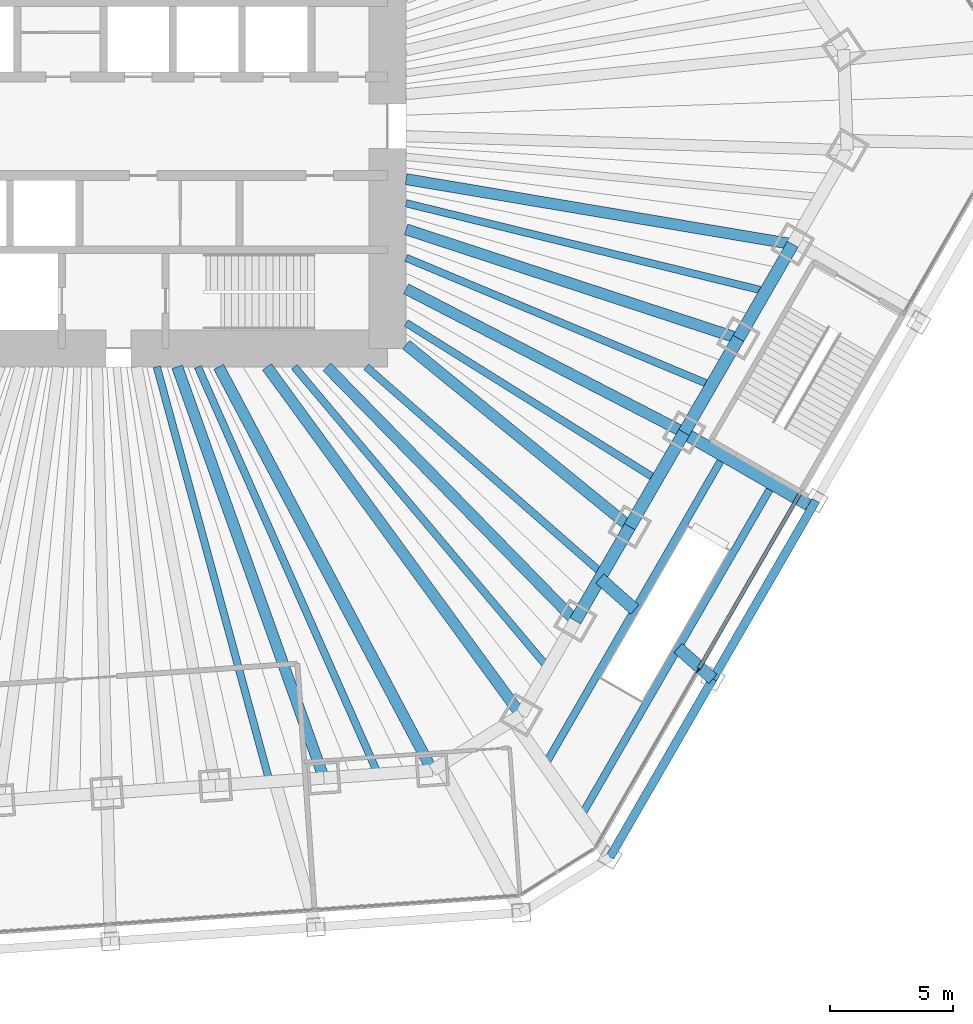
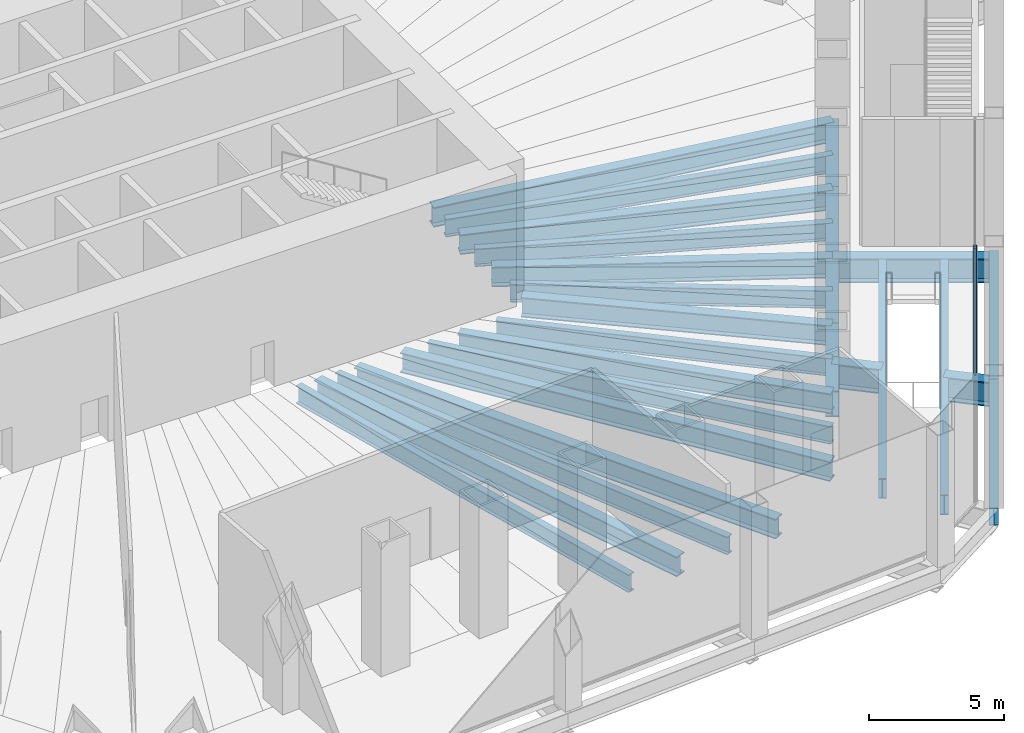
# One storey, part 8 of 23: 26 beams, 2 members, 1 element without a shape of its own.
"""IFC4 building model written with IfcOpenShell, lengths in metres."""

from ifc_helpers import new_model, si_unit, direction, frame, origin, origin_2d, place, context, subcontext, project, spatial, rectangle, i_section, extrude, material, material_profile, profile_set, type_object, element, aggregate, save


model = new_model("IFC4")

# Units and contexts
model_context = context("Model", 3, precision=1e-05, world=origin(), true_north=direction((0.0, 1.0)))
body_context = subcontext(model_context, "Body", "Model", "MODEL_VIEW")
ifc_project = project(units=[si_unit("LENGTHUNIT", "METRE"), si_unit("AREAUNIT", "SQUARE_METRE"), si_unit("VOLUMEUNIT", "CUBIC_METRE"), si_unit("PLANEANGLEUNIT", "RADIAN"), si_unit("MASSUNIT", "GRAM", prefix="KILO")], contexts=[model_context])

# Site, building, storey
site_placement = place(None, origin())
site = spatial("IfcSite", under=ifc_project, at=site_placement, CompositionType="ELEMENT")
building_placement = place(site_placement, origin())
building = spatial("IfcBuilding", under=site, at=building_placement, Name="Qingtian Harvest Tower", CompositionType="ELEMENT")
storey_placement = place(building_placement, frame((0.0, 0.0, 6.0)))
storey = spatial("IfcBuildingStorey", under=building, at=storey_placement, Name="L01", CompositionType="ELEMENT", Elevation=6.0)

# Beams
ifc_material_1 = material(Name="Steel SM570MC", Category="steel")
ifc_material_profile_1 = material_profile(ifc_material_1, i_section(OverallWidth=0.449951171875, OverallDepth=0.89990234375, WebThickness=0.02197265625, FlangeThickness=0.044921875, at=origin_2d()), Name="H900x450x22x45")
ifc_profile_set_1 = profile_set([ifc_material_profile_1], Name="Steel SM570MC")
beam_type_1 = type_object("IfcBeamType", Name="Floor beam FB5 H900x450x22x45", PredefinedType="BEAM", material=ifc_profile_set_1)
beam_1_placement = place(storey_placement, frame((28.416015625, -4.78173828125, -0.699951171875), z_axis=(-0.986135195489, 0.16594389479, 0.0), x_axis=(-0.16594389479, -0.986135195489, 0.0)))
element("IfcBeam", 1, at=beam_1_placement, inside=storey, type_object=beam_type_1, Name="Floor beam FB5 SE1", PredefinedType="BEAM", context=body_context, shape_type="SweptSolid", body=[
    extrude(i_section(OverallWidth=0.449951171875, OverallDepth=0.89990234375, WebThickness=0.02197265625, FlangeThickness=0.044921875, at=origin_2d()), origin(), (0.0, 0.0, 1.0), 15.88623046875),
])
beam_2_placement = place(storey_placement, frame((26.2138671875, -8.596435546875, -0.699951171875), z_axis=(-0.950210724421, 0.311608053803, 0.0), x_axis=(-0.311608053803, -0.950210724421, 0.0)))
element("IfcBeam", 2, at=beam_2_placement, inside=storey, type_object=beam_type_1, Name="Floor beam FB5 SE2", PredefinedType="BEAM", context=body_context, shape_type="SweptSolid", body=[
    extrude(i_section(OverallWidth=0.449951171875, OverallDepth=0.89990234375, WebThickness=0.02197265625, FlangeThickness=0.044921875, at=origin_2d()), origin(), (0.0, 0.0, 1.0), 14.16943359375),
])
beam_3_placement = place(storey_placement, frame((24.011474609375, -12.410888671875, -0.699951171875), z_axis=(-0.888349581519, 0.45916774823, 0.0), x_axis=(-0.45916774823, -0.888349581519, 0.0)))
element("IfcBeam", 3, at=beam_3_placement, inside=storey, type_object=beam_type_1, Name="Floor beam FB5 SE3", PredefinedType="BEAM", context=body_context, shape_type="SweptSolid", body=[
    extrude(i_section(OverallWidth=0.449951171875, OverallDepth=0.89990234375, WebThickness=0.02197265625, FlangeThickness=0.044921875, at=origin_2d()), origin(), (0.0, 0.0, 1.0), 12.6767578125),
])
beam_4_placement = place(storey_placement, frame((21.809326171875, -16.225341796875, -0.699951171875), z_axis=(-0.775504415669, 0.631342142802, 0.0), x_axis=(-0.631342142802, -0.775504415669, 0.0)))
element("IfcBeam", 4, at=beam_4_placement, inside=storey, type_object=beam_type_1, Name="Floor beam FB5 SE4", PredefinedType="BEAM", context=body_context, shape_type="SweptSolid", body=[
    extrude(i_section(OverallWidth=0.449951171875, OverallDepth=0.89990234375, WebThickness=0.02197265625, FlangeThickness=0.044921875, at=origin_2d()), origin(), (0.0, 0.0, 1.0), 11.681884765625),
])
beam_5_placement = place(storey_placement, frame((19.60693359375, -20.039794921875, -0.699951171875), z_axis=(-0.699348221539, 0.714781130858, 0.0), x_axis=(-0.714781130858, -0.699348221539, 0.0)))
element("IfcBeam", 5, at=beam_5_placement, inside=storey, type_object=beam_type_1, Name="Floor beam FB5 SE5", PredefinedType="BEAM", context=body_context, shape_type="SweptSolid", body=[
    extrude(i_section(OverallWidth=0.449951171875, OverallDepth=0.89990234375, WebThickness=0.02197265625, FlangeThickness=0.044921875, at=origin_2d()), origin(), (0.0, 0.0, 1.0), 14.395751953125),
])
beam_6_placement = place(storey_placement, frame((17.404541015625, -23.854248046875, -0.699951171875), z_axis=(-0.58941234871, 0.807832336062, 0.0), x_axis=(-0.807832336062, -0.58941234871, 0.0)))
element("IfcBeam", 6, at=beam_6_placement, inside=storey, type_object=beam_type_1, Name="Floor beam FB5 SE6", PredefinedType="BEAM", context=body_context, shape_type="SweptSolid", body=[
    extrude(i_section(OverallWidth=0.449951171875, OverallDepth=0.89990234375, WebThickness=0.02197265625, FlangeThickness=0.044921875, at=origin_2d()), origin(), (0.0, 0.0, 1.0), 17.45947265625),
])
beam_7_placement = place(storey_placement, frame((13.810546875, -26.10009765625, -0.699951171875), z_axis=(-0.467705182679, 0.883884529843, 0.0), x_axis=(-0.883884529843, -0.467705182679, 0.0)))
element("IfcBeam", 7, at=beam_7_placement, inside=storey, type_object=beam_type_1, Name="Floor beam FB5 S0", PredefinedType="BEAM", context=body_context, shape_type="SweptSolid", body=[
    extrude(i_section(OverallWidth=0.449951171875, OverallDepth=0.89990234375, WebThickness=0.02197265625, FlangeThickness=0.044921875, at=origin_2d()), origin(), (0.0, 0.0, 1.0), 18.498046875),
])
beam_8_placement = place(storey_placement, frame((9.41650390625, -26.407470703125, -0.699951171875), z_axis=(-0.33586498155, 0.941910141239, 0.0), x_axis=(-0.941910141239, -0.33586498155, 0.0)))
element("IfcBeam", 8, at=beam_8_placement, inside=storey, type_object=beam_type_1, Name="Floor beam FB5 S1", PredefinedType="BEAM", context=body_context, shape_type="SweptSolid", body=[
    extrude(i_section(OverallWidth=0.449951171875, OverallDepth=0.89990234375, WebThickness=0.02197265625, FlangeThickness=0.044921875, at=origin_2d()), origin(), (0.0, 0.0, 1.0), 17.684814453125),
])
ifc_material_2 = material(Name="Steel SM570MC", Category="steel")
ifc_material_profile_2 = material_profile(ifc_material_2, i_section(OverallWidth=0.5, OverallDepth=1.10009765625, WebThickness=0.02490234375, FlangeThickness=0.050048828125, at=origin_2d()), Name="H1100x500x25x50")
ifc_profile_set_2 = profile_set([ifc_material_profile_2], Name="Steel SM570MC")
beam_type_2 = type_object("IfcBeamType", Name="Floor beam FB6 H1100x500x25x50", PredefinedType="BEAM", material=ifc_profile_set_2)
beam_9_placement = place(storey_placement, frame((29.197509765625, -15.4287109375, -0.800048828125), z_axis=(-0.866031096941, 0.499990139034, 0.0), x_axis=(-0.499990139034, -0.866031096941, 0.0)))
element("IfcBeam", 9, at=beam_9_placement, inside=storey, type_object=beam_type_2, Name="Podium floor beam FB6 SE2", PredefinedType="BEAM", context=body_context, shape_type="SweptSolid", body=[
    extrude(i_section(OverallWidth=0.5, OverallDepth=1.10009765625, WebThickness=0.02490234375, FlangeThickness=0.050048828125, at=origin_2d()), origin(), (0.0, 0.0, 1.0), 6.0),
])
beam_10_placement = place(storey_placement, frame((25.176513671875, -22.39306640625, -0.800048828125), z_axis=(-0.747130297689, 0.664677604764, 0.0), x_axis=(-0.664677604764, -0.747130297689, 0.0)))
element("IfcBeam", 10, at=beam_10_placement, inside=storey, type_object=beam_type_2, Name="Podium floor beam FB6 SE3", PredefinedType="BEAM", context=body_context, shape_type="SweptSolid", body=[
    extrude(i_section(OverallWidth=0.5, OverallDepth=1.10009765625, WebThickness=0.02490234375, FlangeThickness=0.050048828125, at=origin_2d()), origin(), (0.0, 0.0, 1.0), 1.88330078125),
])
beam_11_placement = place(storey_placement, frame((22.0146484375, -19.580810546875, -0.800048828125), z_axis=(-0.747196012675, 0.664603730536, 0.0), x_axis=(-0.664603730536, -0.747196012675, 0.0)))
element("IfcBeam", 11, at=beam_11_placement, inside=storey, type_object=beam_type_2, Name="Podium floor beam FB6 SE3 (beyond opening)", PredefinedType="BEAM", context=body_context, shape_type="SweptSolid", body=[
    extrude(i_section(OverallWidth=0.5, OverallDepth=1.10009765625, WebThickness=0.02490234375, FlangeThickness=0.050048828125, at=origin_2d()), origin(), (0.0, 0.0, 1.0), 1.894775390625),
])
ifc_material_3 = material(Name="Steel SN490B", Category="steel")
ifc_material_profile_3 = material_profile(ifc_material_3, i_section(OverallWidth=0.300048828125, OverallDepth=0.800048828125, WebThickness=0.013916015625, FlangeThickness=0.02587890625, at=origin_2d()), Name="H800x300x14x26")
ifc_profile_set_3 = profile_set([ifc_material_profile_3], Name="Steel SN490B")
beam_type_3 = type_object("IfcBeamType", Name="Floor joist J1 H800x300x14x26", PredefinedType="JOIST", material=ifc_profile_set_3)
beam_12_placement = place(storey_placement, frame((27.31494140625, -6.68896484375, -0.64990234375), z_axis=(-0.971301533706, 0.237851488583, 0.0), x_axis=(-0.237851488583, -0.971301533706, 0.0)))
element("IfcBeam", 12, at=beam_12_placement, inside=storey, type_object=beam_type_3, Name="Floor joist J1 SE1", PredefinedType="JOIST", context=body_context, shape_type="SweptSolid", body=[
    extrude(i_section(OverallWidth=0.300048828125, OverallDepth=0.800048828125, WebThickness=0.013916015625, FlangeThickness=0.02587890625, at=origin_2d()), origin(), (0.0, 0.0, 1.0), 14.995361328125),
])
beam_13_placement = place(storey_placement, frame((25.112548828125, -10.503662109375, -0.64990234375), z_axis=(-0.922550516103, 0.385876334125, 0.0), x_axis=(-0.385876334125, -0.922550516103, 0.0)))
element("IfcBeam", 13, at=beam_13_placement, inside=storey, type_object=beam_type_3, Name="Floor joist J1 SE2", PredefinedType="JOIST", context=body_context, shape_type="SweptSolid", body=[
    extrude(i_section(OverallWidth=0.300048828125, OverallDepth=0.800048828125, WebThickness=0.013916015625, FlangeThickness=0.02587890625, at=origin_2d()), origin(), (0.0, 0.0, 1.0), 13.400390625),
])
beam_14_placement = place(storey_placement, frame((22.910400390625, -14.318115234375, -0.64990234375), z_axis=(-0.848013185461, 0.52997512893, 0.0), x_axis=(-0.52997512893, -0.848013185461, 0.0)))
element("IfcBeam", 14, at=beam_14_placement, inside=storey, type_object=beam_type_3, Name="Floor joist J1 SE3", PredefinedType="JOIST", context=body_context, shape_type="SweptSolid", body=[
    extrude(i_section(OverallWidth=0.300048828125, OverallDepth=0.800048828125, WebThickness=0.013916015625, FlangeThickness=0.02587890625, at=origin_2d()), origin(), (0.0, 0.0, 1.0), 11.9814453125),
])
beam_15_placement = place(storey_placement, frame((20.7080078125, -18.132568359375, -0.64990234375), z_axis=(-0.75234369212, 0.658770801514, 0.0), x_axis=(-0.658770801514, -0.75234369212, 0.0)))
element("IfcBeam", 15, at=beam_15_placement, inside=storey, type_object=beam_type_3, Name="Floor joist J1 SE4", PredefinedType="JOIST", context=body_context, shape_type="SweptSolid", body=[
    extrude(i_section(OverallWidth=0.300048828125, OverallDepth=0.800048828125, WebThickness=0.013916015625, FlangeThickness=0.02587890625, at=origin_2d()), origin(), (0.0, 0.0, 1.0), 12.724609375),
])
beam_16_placement = place(storey_placement, frame((18.505859375, -21.947021484375, -0.64990234375), z_axis=(-0.644630398038, 0.76449437534, 0.0), x_axis=(-0.76449437534, -0.644630398038, 0.0)))
element("IfcBeam", 16, at=beam_16_placement, inside=storey, type_object=beam_type_3, Name="Floor joist J1 SE5", PredefinedType="JOIST", context=body_context, shape_type="SweptSolid", body=[
    extrude(i_section(OverallWidth=0.300048828125, OverallDepth=0.800048828125, WebThickness=0.013916015625, FlangeThickness=0.02587890625, at=origin_2d()), origin(), (0.0, 0.0, 1.0), 15.954345703125),
])
beam_17_placement = place(storey_placement, frame((11.613525390625, -26.25390625, -0.64990234375), z_axis=(-0.404539958959, 0.914520323233, 0.0), x_axis=(-0.914520323233, -0.404539958959, 0.0)))
element("IfcBeam", 17, at=beam_17_placement, inside=storey, type_object=beam_type_3, Name="Floor joist J1 S0", PredefinedType="JOIST", context=body_context, shape_type="SweptSolid", body=[
    extrude(i_section(OverallWidth=0.300048828125, OverallDepth=0.800048828125, WebThickness=0.013916015625, FlangeThickness=0.02587890625, at=origin_2d()), origin(), (0.0, 0.0, 1.0), 18.046630859375),
])
beam_18_placement = place(storey_placement, frame((7.2197265625, -26.56103515625, -0.64990234375), z_axis=(-0.262302659247, 0.964985655309, 0.0), x_axis=(-0.964985655309, -0.262302659247, 0.0)))
element("IfcBeam", 18, at=beam_18_placement, inside=storey, type_object=beam_type_3, Name="Floor joist J1 S1", PredefinedType="JOIST", context=body_context, shape_type="SweptSolid", body=[
    extrude(i_section(OverallWidth=0.300048828125, OverallDepth=0.800048828125, WebThickness=0.013916015625, FlangeThickness=0.02587890625, at=origin_2d()), origin(), (0.0, 0.0, 1.0), 17.421142578125),
])

# Curtain wall, member
ifc_material_4 = material(Name="Bronze-anodised aluminium curtain wall", Category="aluminium")
curtain_wall_type = type_object("IfcCurtainWallType", Name="Curtain wall CW1 podium shopfront", PredefinedType="USERDEFINED", material=ifc_material_4)
curtain_wall_placement = place(storey_placement, origin())
curtain_wall = element("IfcCurtainWall", 19, at=curtain_wall_placement, inside=storey, type_object=curtain_wall_type, Name="Curtain wall CW1 L01 SE2-3", ObjectType="RECESSED CURTAIN WALL", PredefinedType="USERDEFINED")
ifc_material_5 = material(Name="Bronze-anodised aluminium mullion", Category="aluminium")
ifc_material_profile_4 = material_profile(ifc_material_5, rectangle(XDim=0.06494140625, YDim=0.199951171875, at=origin_2d()), Name="AL 65x200")
ifc_profile_set_4 = profile_set([ifc_material_profile_4], Name="Bronze-anodised aluminium mullion")
member_type_1 = type_object("IfcMemberType", Name="Mullion CWM 65x200", PredefinedType="MULLION", material=ifc_profile_set_4)
member_1_placement = place(storey_placement, frame((24.5703125, -22.04296875, 0.0), z_axis=(0.0, 0.0, 1.0), x_axis=(0.866025403784, -0.5, 0.0)))
member_1 = element("IfcMember", 20, at=member_1_placement, type_object=member_type_1, Name="CW1 mullion 2", PredefinedType="MULLION", context=body_context, shape_type="SweptSolid", body=[
    extrude(rectangle(XDim=0.06494140625, YDim=0.199951171875, at=origin_2d()), origin(), (0.0, 0.0, 1.0), 5.75),
])

# Beams
ifc_material_6 = material(Name="Steel SN490B", Category="steel")
ifc_material_profile_5 = material_profile(ifc_material_6, i_section(OverallWidth=0.35009765625, OverallDepth=0.800048828125, WebThickness=0.01611328125, FlangeThickness=0.028076171875, at=origin_2d()), Name="H800x350x16x28")
ifc_profile_set_5 = profile_set([ifc_material_profile_5], Name="Steel SN490B")
beam_type_4 = type_object("IfcBeamType", Name="Podium beam PB1 H800x350x16x28", PredefinedType="BEAM", material=ifc_profile_set_5)
beam_19_placement = place(storey_placement, frame((29.347412109375, -15.168701171875, -0.64990234375), z_axis=(-0.499991838624, -0.866030115706, 0.0), x_axis=(0.866030115706, -0.499991838624, 0.0)))
element("IfcBeam", 21, at=beam_19_placement, inside=storey, type_object=beam_type_4, Name="Podium edge beam PB1 SE2", PredefinedType="BEAM", context=body_context, shape_type="SweptSolid", body=[
    extrude(i_section(OverallWidth=0.35009765625, OverallDepth=0.800048828125, WebThickness=0.01611328125, FlangeThickness=0.028076171875, at=origin_2d()), origin(), (0.0, 0.0, 1.0), 8.342041015625),
])
beam_20_placement = place(storey_placement, frame((25.176513671875, -22.39306640625, -0.64990234375), z_axis=(-0.500004511595, -0.866022798998, 0.0), x_axis=(0.866022798998, -0.500004511595, 0.0)))
element("IfcBeam", 22, at=beam_20_placement, inside=storey, type_object=beam_type_4, Name="Podium edge beam PB1 SE3", PredefinedType="BEAM", context=body_context, shape_type="SweptSolid", body=[
    extrude(i_section(OverallWidth=0.35009765625, OverallDepth=0.800048828125, WebThickness=0.01611328125, FlangeThickness=0.028076171875, at=origin_2d()), origin(), (0.0, 0.0, 1.0), 8.341796875),
])
ifc_material_7 = material(Name="Steel SM570MC", Category="steel")
ifc_material_profile_6 = material_profile(ifc_material_7, i_section(OverallWidth=0.5, OverallDepth=1.199951171875, WebThickness=0.02490234375, FlangeThickness=0.050048828125, at=origin_2d()), Name="H1200x500x25x50")
ifc_profile_set_6 = profile_set([ifc_material_profile_6], Name="Steel SM570MC")
beam_type_5 = type_object("IfcBeamType", Name="Spandrel beam SB1 H1200x500x25x50", PredefinedType="SPANDREL", material=ifc_profile_set_6)
beam_21_placement = place(storey_placement, frame((28.416015625, -4.78173828125, -0.85009765625), z_axis=(-0.499954356739, -0.86605175433, 0.0), x_axis=(0.86605175433, -0.499954356739, 0.0)))
element("IfcBeam", 23, at=beam_21_placement, inside=storey, type_object=beam_type_5, Name="Spandrel SB1 SE1", PredefinedType="SPANDREL", context=body_context, shape_type="SweptSolid", body=[
    extrude(i_section(OverallWidth=0.5, OverallDepth=1.199951171875, WebThickness=0.02490234375, FlangeThickness=0.050048828125, at=origin_2d()), origin(), (0.0, 0.0, 1.0), 4.40478515625),
])
for number, where, z_axis, x_axis, name in (
    (24, (26.2138671875, -8.596435546875, -0.85009765625), (-0.50001992892, -0.866013897511, 0.0), (0.866013897511, -0.50001992892, 0.0), "Spandrel SB1 SE2"),
    (25, (24.011474609375, -12.410888671875, -0.85009765625), (-0.499978356969, -0.866037899034, 0.0), (0.866037899034, -0.499978356969, 0.0), "Spandrel SB1 SE3"),
    (26, (21.809326171875, -16.225341796875, -0.85009765625), (-0.50001992892, -0.866013897511, 0.0), (0.866013897511, -0.50001992892, 0.0), "Spandrel SB1 SE4"),
):
    element("IfcBeam", number, at=place(storey_placement, frame(where, z_axis=z_axis, x_axis=x_axis)), inside=storey, type_object=beam_type_5, Name=name, PredefinedType="SPANDREL", context=body_context, shape_type="SweptSolid", body=[
        extrude(i_section(OverallWidth=0.5, OverallDepth=1.199951171875, WebThickness=0.02490234375, FlangeThickness=0.050048828125, at=origin_2d()), origin(), (0.0, 0.0, 1.0), 4.404541015625),
    ])

# Member
ifc_material_8 = material(Name="Bronze-anodised aluminium transom", Category="aluminium")
ifc_material_profile_7 = material_profile(ifc_material_8, rectangle(XDim=0.14990234375, YDim=0.06494140625, at=origin_2d()), Name="AL 65x150")
ifc_profile_set_7 = profile_set([ifc_material_profile_7], Name="Bronze-anodised aluminium transom")
member_type_2 = type_object("IfcMemberType", Name="Transom CWT 65x150", PredefinedType="USERDEFINED", material=ifc_profile_set_7)
member_2_placement = place(storey_placement, frame((28.708740234375, -14.875, 0.032470703125), z_axis=(-0.499986482571, -0.866033207935, 0.0), x_axis=(0.866033207935, -0.499986482571, 0.0)))
member_2 = element("IfcMember", 27, at=member_2_placement, type_object=member_type_2, Name="CW1 transom 1.1", ObjectType="TRANSOM", PredefinedType="USERDEFINED", context=body_context, shape_type="SweptSolid", body=[
    extrude(rectangle(XDim=0.14990234375, YDim=0.06494140625, at=origin_2d()), origin(), (0.0, 0.0, 1.0), 8.244384765625),
])

aggregate(curtain_wall, [member_1, member_2])

# Beams
ifc_material_9 = material(Name="Steel SN490B", Category="steel")
ifc_material_profile_8 = material_profile(ifc_material_9, i_section(OverallWidth=0.300048828125, OverallDepth=0.89990234375, WebThickness=0.01611328125, FlangeThickness=0.028076171875, at=origin_2d()), Name="H900x300x16x28")
ifc_profile_set_8 = profile_set([ifc_material_profile_8], Name="Steel SN490B")
beam_type_6 = type_object("IfcBeamType", Name="Trimmer beam TB1 H900x300x16x28", PredefinedType="BEAM", material=ifc_profile_set_8)
beam_22_placement = place(storey_placement, frame((19.83154296875, -27.9619140625, -0.699951171875), z_axis=(0.499999024953, 0.866025966727, 0.0), x_axis=(-0.866025966727, 0.499999024953, 0.0)))
element("IfcBeam", 28, at=beam_22_placement, inside=storey, type_object=beam_type_6, Name="Trimmer beam TB1 FS1 1", PredefinedType="BEAM", context=body_context, shape_type="SweptSolid", body=[
    extrude(i_section(OverallWidth=0.300048828125, OverallDepth=0.89990234375, WebThickness=0.01611328125, FlangeThickness=0.028076171875, at=origin_2d()), origin(), (0.0, 0.0, 1.0), 15.537109375),
])
beam_23_placement = place(storey_placement, frame((18.36767578125, -25.897705078125, -0.699951171875), z_axis=(0.50000118883, 0.866024717412, 0.0), x_axis=(-0.866024717412, 0.50000118883, 0.0)))
element("IfcBeam", 29, at=beam_23_placement, inside=storey, type_object=beam_type_6, Name="Trimmer beam TB1 FS1 2", PredefinedType="BEAM", context=body_context, shape_type="SweptSolid", body=[
    extrude(i_section(OverallWidth=0.300048828125, OverallDepth=0.89990234375, WebThickness=0.01611328125, FlangeThickness=0.028076171875, at=origin_2d()), origin(), (0.0, 0.0, 1.0), 14.4814453125),
])

save(model, "model.ifc")
